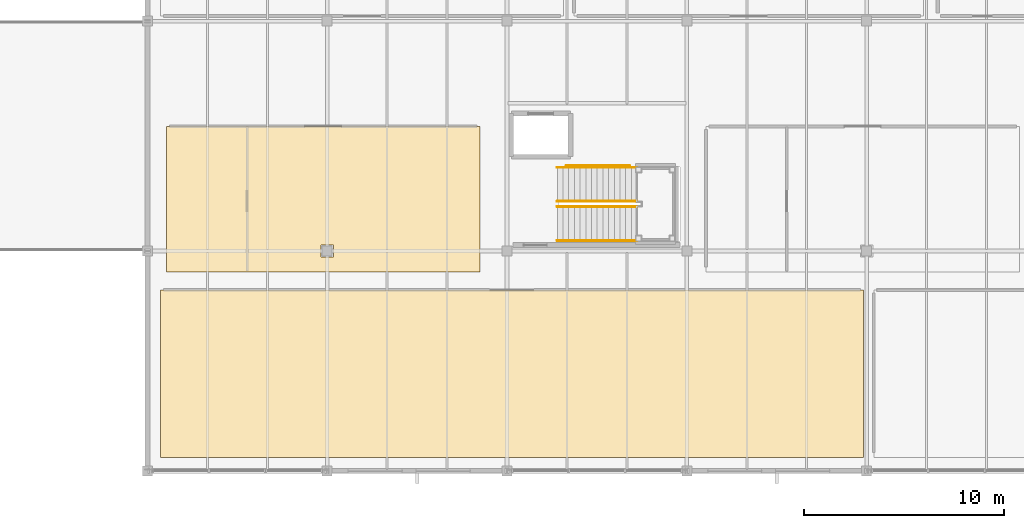
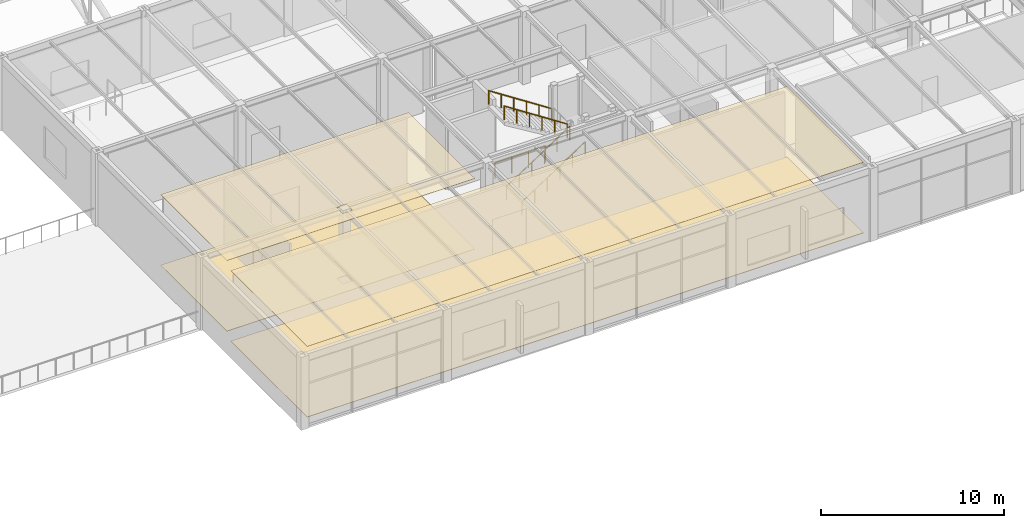
# One storey, part 185 of 195: 5 railings, 4 coverings.
"""IFC4 building model written with IfcOpenShell, lengths in metres."""

from ifc_helpers import new_model, si_unit, direction, frame, origin, origin_2d, place, context, subcontext, project, spatial, polyline, circle, outline, extrude, material, layer, layer_set, type_object, element, save


model = new_model("IFC4")

# Units and contexts
model_context = context("Model", 3, precision=1e-05, world=origin(), true_north=direction((0.0, 1.0)))
body_context = subcontext(model_context, "Body", "Model", "MODEL_VIEW")
ifc_project = project(units=[si_unit("LENGTHUNIT", "METRE"), si_unit("AREAUNIT", "SQUARE_METRE"), si_unit("VOLUMEUNIT", "CUBIC_METRE"), si_unit("PLANEANGLEUNIT", "RADIAN"), si_unit("MASSUNIT", "GRAM", prefix="KILO")], contexts=[model_context])

# Site, building, storey
site_placement = place(None, origin())
site = spatial("IfcSite", under=ifc_project, at=site_placement, CompositionType="ELEMENT")
building_placement = place(site_placement, origin())
building = spatial("IfcBuilding", under=site, at=building_placement, Name="Marlcrest Central Station", CompositionType="ELEMENT")
storey_placement = place(building_placement, frame((0.0, 0.0, 9.800048828125)))
storey = spatial("IfcBuildingStorey", under=building, at=storey_placement, Name="L02", CompositionType="ELEMENT", Elevation=9.800048828125)

# Coverings
ifc_material_1 = material(Name="Perforated acoustic mineral-fibre ceiling")
ifc_layer_1 = layer(ifc_material_1, 0.02490234375, Name="CV-CLG")
ifc_layer_set_1 = layer_set([ifc_layer_1], Name="Perforated acoustic mineral-fibre ceiling")
covering_type_1 = type_object("IfcCoveringType", Name="CV-CLG", PredefinedType="CEILING", material=ifc_layer_set_1)
covering_1_placement = place(storey_placement, frame((0.0, 0.0, 4.724853515625)))
element("IfcCovering", 1, at=covering_1_placement, inside=storey, type_object=covering_type_1, Name="cov-clg-0087", PredefinedType="CEILING", context=body_context, shape_type="SweptSolid", body=[
    extrude(outline(polyline([(153.9599609375, 9.9599609375), (153.9599609375, 17.239990234375), (169.639892578125, 17.239990234375), (169.639892578125, 9.9599609375), (153.9599609375, 9.9599609375)]), holes=[polyline([(162.31005859375, 11.31005859375), (161.68994140625, 11.31005859375), (161.68994140625, 10.68994140625), (162.31005859375, 10.68994140625), (162.31005859375, 11.31005859375)])]), origin(), (0.0, 0.0, 1.0), 0.025146484375),
])
covering_2_placement = place(storey_placement, frame((0.0, 0.0, 4.724853515625)))
element("IfcCovering", 2, at=covering_2_placement, inside=storey, type_object=covering_type_1, Name="cov-clg-0101", PredefinedType="CEILING", context=body_context, shape_type="SweptSolid", body=[
    extrude(outline(polyline([(188.840087890625, 0.659912109375), (188.840087890625, 9.0400390625), (153.659912109375, 9.0400390625), (153.659912109375, 0.659912109375), (188.840087890625, 0.659912109375)])), origin(), (0.0, 0.0, 1.0), 0.025146484375),
])
ifc_material_2 = material(Name="Polished terrazzo and tactile transit flooring")
ifc_layer_2 = layer(ifc_material_2, 0.030029296875, Name="CV-FLR")
ifc_layer_set_2 = layer_set([ifc_layer_2], Name="Polished terrazzo and tactile transit flooring")
covering_type_2 = type_object("IfcCoveringType", Name="CV-FLR", PredefinedType="FLOORING", material=ifc_layer_set_2)
covering_3_placement = place(storey_placement, origin())
element("IfcCovering", 3, at=covering_3_placement, inside=storey, type_object=covering_type_2, Name="cov-flr-0088", PredefinedType="FLOORING", context=body_context, shape_type="SweptSolid", body=[
    extrude(outline(polyline([(153.9599609375, 9.9599609375), (153.9599609375, 17.239990234375), (169.639892578125, 17.239990234375), (169.639892578125, 9.9599609375), (153.9599609375, 9.9599609375)]), holes=[polyline([(162.31005859375, 11.31005859375), (161.68994140625, 11.31005859375), (161.68994140625, 10.68994140625), (162.31005859375, 10.68994140625), (162.31005859375, 11.31005859375)])]), origin(), (0.0, 0.0, 1.0), 0.030029296875),
])
covering_4_placement = place(storey_placement, origin())
element("IfcCovering", 4, at=covering_4_placement, inside=storey, type_object=covering_type_2, Name="cov-flr-0102", PredefinedType="FLOORING", context=body_context, shape_type="SweptSolid", body=[
    extrude(outline(polyline([(188.840087890625, 0.659912109375), (188.840087890625, 9.0400390625), (153.659912109375, 9.0400390625), (153.659912109375, 0.659912109375), (188.840087890625, 0.659912109375)])), origin(), (0.0, 0.0, 1.0), 0.030029296875),
])

# Railings
ifc_material_3 = material(Name="Stainless steel and laminated glass concourse balustrade", Category="steel")
railing_type_1 = type_object("IfcRailingType", Name="GR-02", PredefinedType="BALUSTRADE", material=ifc_material_3)
railing_1_placement = place(storey_placement, frame((177.14208984375, 15.260009765625, 0.0)))
element("IfcRailing", 5, at=railing_1_placement, inside=storey, type_object=railing_type_1, Name="hr-L02-00355", PredefinedType="BALUSTRADE", context=body_context, shape_type="SweptSolid", body=[
    extrude(circle(Radius=0.02392578125, at=origin_2d()), frame((0.0, 0.0, 1.09619140625), z_axis=(-1.0, 0.0, 0.0), x_axis=(0.0, -1.0, 0.0)), (0.0, 0.0, 1.0), 3.172119140625),
    extrude(circle(Radius=0.02099609375, at=origin_2d()), origin(), (0.0, 0.0, 1.0), 1.072021484375),
    extrude(circle(Radius=0.02099609375, at=origin_2d()), frame((-1.057373046875, 0.0, 0.0)), (0.0, 0.0, 1.0), 1.072021484375),
    extrude(circle(Radius=0.02099609375, at=origin_2d()), frame((-2.11474609375, 0.0, 0.0)), (0.0, 0.0, 1.0), 1.072021484375),
    extrude(circle(Radius=0.02099609375, at=origin_2d()), frame((-3.172119140625, 0.0, 0.0)), (0.0, 0.0, 1.0), 1.072021484375),
])
ifc_material_4 = material(Name="Brushed stainless steel handrail", Category="steel")
railing_type_2 = type_object("IfcRailingType", Name="HR-01", PredefinedType="HANDRAIL", material=ifc_material_4)
railing_2_placement = place(storey_placement, frame((173.52001953125, 11.52001953125, 0.0)))
element("IfcRailing", 6, at=railing_2_placement, inside=storey, type_object=railing_type_2, Name="hr-L02-00221", PredefinedType="HANDRAIL", context=body_context, shape_type="SweptSolid", body=[
    extrude(circle(Radius=0.02392578125, at=origin_2d()), frame((0.0, 0.0, 0.89599609375), z_axis=(0.837832859484, 0.0, 0.545926826204), x_axis=(0.0, 1.0, 0.0)), (0.0, 0.0, 1.0), 4.76220703125),
    extrude(circle(Radius=0.02099609375, at=origin_2d()), origin(), (0.0, 0.0, 1.0), 0.871826171875),
    extrude(circle(Radius=0.02099609375, at=origin_2d()), frame((0.798095703125, 0.0, 0.52001953125)), (0.0, 0.0, 1.0), 0.871826171875),
    extrude(circle(Radius=0.02099609375, at=origin_2d()), frame((1.595947265625, 0.0, 1.0400390625)), (0.0, 0.0, 1.0), 0.871826171875),
    extrude(circle(Radius=0.02099609375, at=origin_2d()), frame((2.39404296875, 0.0, 1.559814453125)), (0.0, 0.0, 1.0), 0.871826171875),
    extrude(circle(Radius=0.02099609375, at=origin_2d()), frame((3.19189453125, 0.0, 2.079833984375)), (0.0, 0.0, 1.0), 0.871826171875),
    extrude(circle(Radius=0.02099609375, at=origin_2d()), frame((3.989990234375, 0.0, 2.599853515625)), (0.0, 0.0, 1.0), 0.871826171875),
])
railing_3_placement = place(storey_placement, frame((177.510009765625, 13.47998046875, 2.599853515625)))
element("IfcRailing", 7, at=railing_3_placement, inside=storey, type_object=railing_type_2, Name="hr-L02-00222", PredefinedType="HANDRAIL", context=body_context, shape_type="SweptSolid", body=[
    extrude(circle(Radius=0.02392578125, at=origin_2d()), frame((0.0, 0.0, 0.89599609375), z_axis=(-0.83780941074, 0.0, 0.545962811257), x_axis=(0.0, -1.0, 0.0)), (0.0, 0.0, 1.0), 4.762451171875),
    extrude(circle(Radius=0.02099609375, at=origin_2d()), origin(), (0.0, 0.0, 1.0), 0.871826171875),
    extrude(circle(Radius=0.02099609375, at=origin_2d()), frame((-0.798095703125, 0.0, 0.52001953125)), (0.0, 0.0, 1.0), 0.871826171875),
    extrude(circle(Radius=0.02099609375, at=origin_2d()), frame((-1.595947265625, 0.0, 1.0400390625)), (0.0, 0.0, 1.0), 0.871826171875),
    extrude(circle(Radius=0.02099609375, at=origin_2d()), frame((-2.39404296875, 0.0, 1.56005859375)), (0.0, 0.0, 1.0), 0.871826171875),
    extrude(circle(Radius=0.02099609375, at=origin_2d()), frame((-3.19189453125, 0.0, 2.080078125)), (0.0, 0.0, 1.0), 0.871826171875),
    extrude(circle(Radius=0.02099609375, at=origin_2d()), frame((-3.989990234375, 0.0, 2.60009765625)), (0.0, 0.0, 1.0), 0.871826171875),
])
railing_4_placement = place(storey_placement, frame((173.52001953125, 13.219970703125, 0.0)))
element("IfcRailing", 8, at=railing_4_placement, inside=storey, type_object=railing_type_2, Name="hr-L02-00223", PredefinedType="HANDRAIL", context=body_context, shape_type="SweptSolid", body=[
    extrude(circle(Radius=0.02392578125, at=origin_2d()), frame((0.0, 0.0, 0.89599609375), z_axis=(0.837832859484, 0.0, 0.545926826204), x_axis=(0.0, 1.0, 0.0)), (0.0, 0.0, 1.0), 4.76220703125),
    extrude(circle(Radius=0.02099609375, at=origin_2d()), origin(), (0.0, 0.0, 1.0), 0.871826171875),
    extrude(circle(Radius=0.02099609375, at=origin_2d()), frame((0.798095703125, 0.0, 0.52001953125)), (0.0, 0.0, 1.0), 0.871826171875),
    extrude(circle(Radius=0.02099609375, at=origin_2d()), frame((1.595947265625, 0.0, 1.0400390625)), (0.0, 0.0, 1.0), 0.871826171875),
    extrude(circle(Radius=0.02099609375, at=origin_2d()), frame((2.39404296875, 0.0, 1.559814453125)), (0.0, 0.0, 1.0), 0.871826171875),
    extrude(circle(Radius=0.02099609375, at=origin_2d()), frame((3.19189453125, 0.0, 2.079833984375)), (0.0, 0.0, 1.0), 0.871826171875),
    extrude(circle(Radius=0.02099609375, at=origin_2d()), frame((3.989990234375, 0.0, 2.599853515625)), (0.0, 0.0, 1.0), 0.871826171875),
])
railing_5_placement = place(storey_placement, frame((177.510009765625, 15.179931640625, 2.599853515625)))
element("IfcRailing", 9, at=railing_5_placement, inside=storey, type_object=railing_type_2, Name="hr-L02-00224", PredefinedType="HANDRAIL", context=body_context, shape_type="SweptSolid", body=[
    extrude(circle(Radius=0.02392578125, at=origin_2d()), frame((0.0, 0.0, 0.89599609375), z_axis=(-0.83780941074, 0.0, 0.545962811257), x_axis=(0.0, -1.0, 0.0)), (0.0, 0.0, 1.0), 4.762451171875),
    extrude(circle(Radius=0.02099609375, at=origin_2d()), origin(), (0.0, 0.0, 1.0), 0.871826171875),
    extrude(circle(Radius=0.02099609375, at=origin_2d()), frame((-0.798095703125, 0.0, 0.52001953125)), (0.0, 0.0, 1.0), 0.871826171875),
    extrude(circle(Radius=0.02099609375, at=origin_2d()), frame((-1.595947265625, 0.0, 1.0400390625)), (0.0, 0.0, 1.0), 0.871826171875),
    extrude(circle(Radius=0.02099609375, at=origin_2d()), frame((-2.39404296875, 0.0, 1.56005859375)), (0.0, 0.0, 1.0), 0.871826171875),
    extrude(circle(Radius=0.02099609375, at=origin_2d()), frame((-3.19189453125, 0.0, 2.080078125)), (0.0, 0.0, 1.0), 0.871826171875),
    extrude(circle(Radius=0.02099609375, at=origin_2d()), frame((-3.989990234375, 0.0, 2.60009765625)), (0.0, 0.0, 1.0), 0.871826171875),
])

save(model, "model.ifc")
